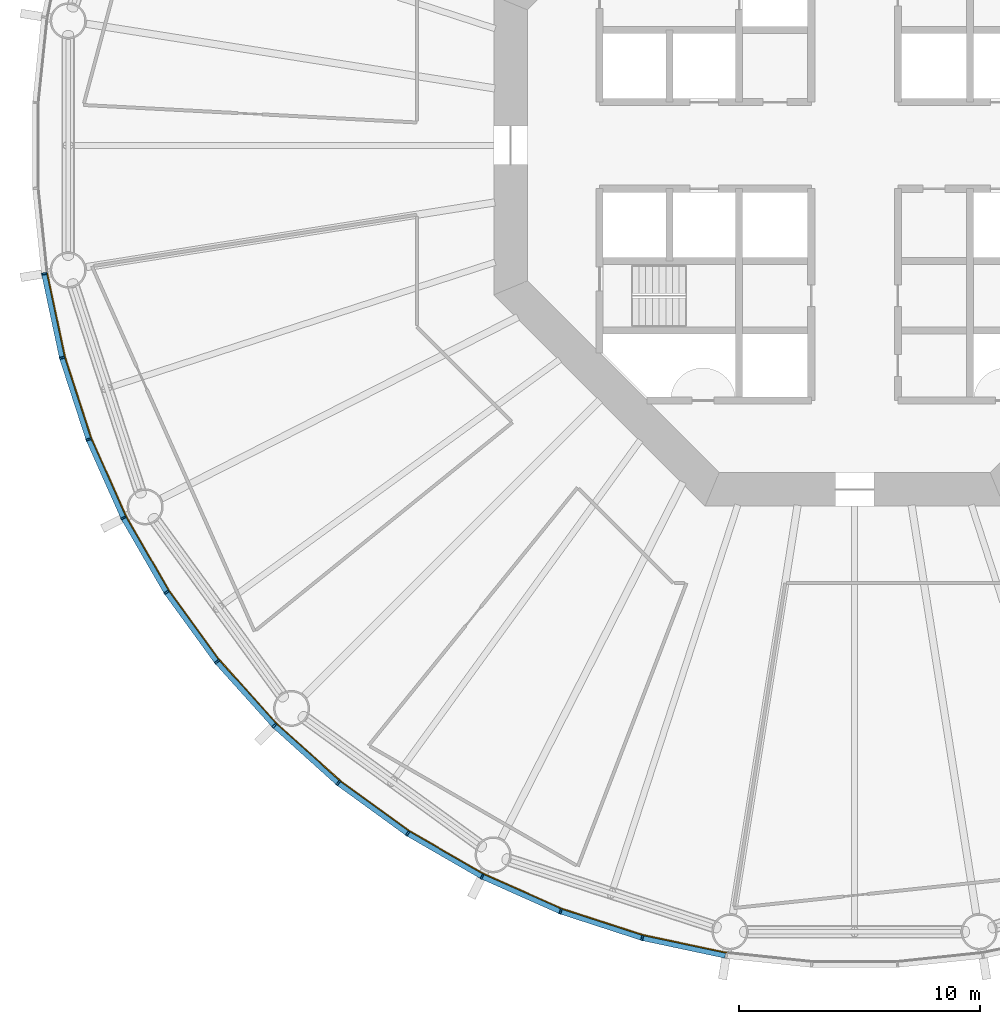
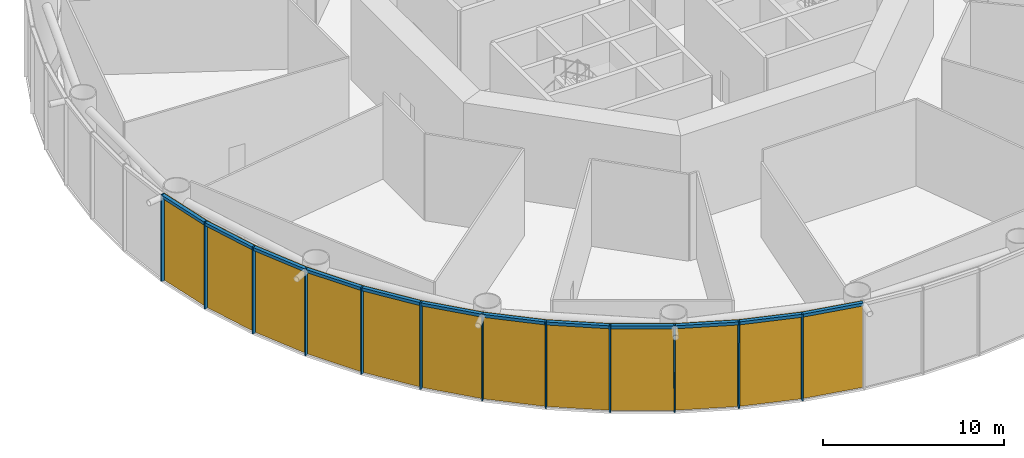
# One storey, part 8 of 14: 24 members, 4 curtain walls.
"""IFC4 building model written with IfcOpenShell, lengths in metres."""

from ifc_helpers import new_model, si_unit, direction, frame, origin, origin_2d, place, context, subcontext, project, spatial, polyline, rectangle, outline, extrude, material, layer, layer_set, material_profile, profile_set, type_object, element, aggregate, save


model = new_model("IFC4")

# Units and contexts
model_context = context("Model", 3, precision=1e-05, world=origin(), true_north=direction((0.0, 1.0)))
body_context = subcontext(model_context, "Body", "Model", "MODEL_VIEW")
ifc_project = project(units=[si_unit("LENGTHUNIT", "METRE"), si_unit("AREAUNIT", "SQUARE_METRE"), si_unit("VOLUMEUNIT", "CUBIC_METRE"), si_unit("PLANEANGLEUNIT", "RADIAN"), si_unit("MASSUNIT", "GRAM", prefix="KILO")], contexts=[model_context])

# Member
ifc_material_1 = material(Name="Anodised aluminium", Category="aluminium")
ifc_material_profile_1 = material_profile(ifc_material_1, rectangle(XDim=0.074951171875, YDim=0.219970703125, at=origin_2d()), Name="Mullion 75 x 220 mm anodised aluminium")
ifc_profile_set_1 = profile_set([ifc_material_profile_1], Name="Anodised aluminium")
member_type_1 = type_object("IfcMemberType", Name="Mullion 75 x 220 mm anodised aluminium", PredefinedType="MULLION", material=ifc_profile_set_1)
site_placement = place(None, origin())
building_placement = place(site_placement, origin())
storey_placement = place(building_placement, frame((0.0, 0.0, 12.0)))
member_1_placement = place(storey_placement, frame((56.31005859375, 74.6640625, 0.0), z_axis=(0.0, 0.0, 1.0), x_axis=(0.15643446504, -0.987688340595, 0.0)))
member_1 = element("IfcMember", 1, at=member_1_placement, type_object=member_type_1, Name="MULLION L01-30", PredefinedType="MULLION", context=body_context, shape_type="SweptSolid", body=[
    extrude(rectangle(XDim=0.074951171875, YDim=0.219970703125, at=origin_2d()), origin(), (0.0, 0.0, 1.0), 5.85009765625),
])

member_2_placement = place(storey_placement, frame((57.05224609375, 71.171630859375, 0.0), z_axis=(0.0, 0.0, 1.0), x_axis=(0.258819045103, -0.965925826289, 0.0)))
member_2 = element("IfcMember", 2, at=member_2_placement, type_object=member_type_1, Name="MULLION L01-31", PredefinedType="MULLION", context=body_context, shape_type="SweptSolid", body=[
    extrude(rectangle(XDim=0.074951171875, YDim=0.219970703125, at=origin_2d()), origin(), (0.0, 0.0, 1.0), 5.85009765625),
])

member_3_placement = place(storey_placement, frame((58.155517578125, 67.776123046875, 0.0), z_axis=(0.0, 0.0, 1.0), x_axis=(0.358367949545, -0.933580426497, 0.0)))
member_3 = element("IfcMember", 3, at=member_3_placement, type_object=member_type_1, Name="MULLION L01-32", PredefinedType="MULLION", context=body_context, shape_type="SweptSolid", body=[
    extrude(rectangle(XDim=0.074951171875, YDim=0.219970703125, at=origin_2d()), origin(), (0.0, 0.0, 1.0), 5.85009765625),
])

member_4_placement = place(storey_placement, frame((59.607666015625, 64.514404296875, 0.0), z_axis=(0.0, 0.0, 1.0), x_axis=(0.45399049974, -0.891006524188, 0.0)))
member_4 = element("IfcMember", 4, at=member_4_placement, type_object=member_type_1, Name="MULLION L01-33", PredefinedType="MULLION", context=body_context, shape_type="SweptSolid", body=[
    extrude(rectangle(XDim=0.074951171875, YDim=0.219970703125, at=origin_2d()), origin(), (0.0, 0.0, 1.0), 5.85009765625),
])

member_5_placement = place(storey_placement, frame((61.39306640625, 61.42236328125, 0.0), z_axis=(0.0, 0.0, 1.0), x_axis=(0.544639035015, -0.838670567945, 0.0)))
member_5 = element("IfcMember", 5, at=member_5_placement, type_object=member_type_1, Name="MULLION L01-34", PredefinedType="MULLION", context=body_context, shape_type="SweptSolid", body=[
    extrude(rectangle(XDim=0.074951171875, YDim=0.219970703125, at=origin_2d()), origin(), (0.0, 0.0, 1.0), 5.85009765625),
])

member_6_placement = place(storey_placement, frame((63.491455078125, 58.533935546875, 0.0), z_axis=(0.0, 0.0, 1.0), x_axis=(0.62932039105, -0.777145961457, 0.0)))
member_6 = element("IfcMember", 6, at=member_6_placement, type_object=member_type_1, Name="MULLION L01-35", PredefinedType="MULLION", context=body_context, shape_type="SweptSolid", body=[
    extrude(rectangle(XDim=0.074951171875, YDim=0.219970703125, at=origin_2d()), origin(), (0.0, 0.0, 1.0), 5.85009765625),
])

member_7_placement = place(storey_placement, frame((65.880615234375, 55.880615234375, 0.0), z_axis=(0.0, 0.0, 1.0), x_axis=(0.707106781187, -0.707106781187, 0.0)))
member_7 = element("IfcMember", 7, at=member_7_placement, type_object=member_type_1, Name="MULLION L01-36", PredefinedType="MULLION", context=body_context, shape_type="SweptSolid", body=[
    extrude(rectangle(XDim=0.074951171875, YDim=0.219970703125, at=origin_2d()), origin(), (0.0, 0.0, 1.0), 5.85009765625),
])

member_8_placement = place(storey_placement, frame((68.533935546875, 53.491455078125, 0.0), z_axis=(0.0, 0.0, 1.0), x_axis=(0.777145961457, -0.62932039105, 0.0)))
member_8 = element("IfcMember", 8, at=member_8_placement, type_object=member_type_1, Name="MULLION L01-37", PredefinedType="MULLION", context=body_context, shape_type="SweptSolid", body=[
    extrude(rectangle(XDim=0.074951171875, YDim=0.219970703125, at=origin_2d()), origin(), (0.0, 0.0, 1.0), 5.85009765625),
])

member_9_placement = place(storey_placement, frame((71.42236328125, 51.39306640625, 0.0), z_axis=(0.0, 0.0, 1.0), x_axis=(0.838670567945, -0.544639035015, 0.0)))
member_9 = element("IfcMember", 9, at=member_9_placement, type_object=member_type_1, Name="MULLION L01-38", PredefinedType="MULLION", context=body_context, shape_type="SweptSolid", body=[
    extrude(rectangle(XDim=0.074951171875, YDim=0.219970703125, at=origin_2d()), origin(), (0.0, 0.0, 1.0), 5.85009765625),
])

member_10_placement = place(storey_placement, frame((74.514404296875, 49.607666015625, 0.0), z_axis=(0.0, 0.0, 1.0), x_axis=(0.891006524188, -0.45399049974, 0.0)))
member_10 = element("IfcMember", 10, at=member_10_placement, type_object=member_type_1, Name="MULLION L01-39", PredefinedType="MULLION", context=body_context, shape_type="SweptSolid", body=[
    extrude(rectangle(XDim=0.074951171875, YDim=0.219970703125, at=origin_2d()), origin(), (0.0, 0.0, 1.0), 5.85009765625),
])

member_11_placement = place(storey_placement, frame((77.776123046875, 48.155517578125, 0.0), z_axis=(0.0, 0.0, 1.0), x_axis=(0.933580426497, -0.358367949545, 0.0)))
member_11 = element("IfcMember", 11, at=member_11_placement, type_object=member_type_1, Name="MULLION L01-40", PredefinedType="MULLION", context=body_context, shape_type="SweptSolid", body=[
    extrude(rectangle(XDim=0.074951171875, YDim=0.219970703125, at=origin_2d()), origin(), (0.0, 0.0, 1.0), 5.85009765625),
])

member_12_placement = place(storey_placement, frame((81.171630859375, 47.05224609375, 0.0), z_axis=(0.0, 0.0, 1.0), x_axis=(0.965925826289, -0.258819045103, 0.0)))
member_12 = element("IfcMember", 12, at=member_12_placement, type_object=member_type_1, Name="MULLION L01-41", PredefinedType="MULLION", context=body_context, shape_type="SweptSolid", body=[
    extrude(rectangle(XDim=0.074951171875, YDim=0.219970703125, at=origin_2d()), origin(), (0.0, 0.0, 1.0), 5.85009765625),
])

ifc_material_2 = material(Name="Anodised aluminium", Category="aluminium")
ifc_material_profile_2 = material_profile(ifc_material_2, rectangle(XDim=0.219970703125, YDim=0.199951171875, at=origin_2d()), Name="Transom 200 x 220 mm anodised aluminium")
ifc_profile_set_2 = profile_set([ifc_material_profile_2], Name="Anodised aluminium")
member_type_2 = type_object("IfcMemberType", Name="Transom 200 x 220 mm anodised aluminium", PredefinedType="USERDEFINED", material=ifc_profile_set_2)
member_13_placement = place(storey_placement, frame((56.31884765625, 74.62158203125, 5.75), z_axis=(0.207920776701, -0.978145669426, 0.0), x_axis=(0.978145669426, 0.207920776701, 0.0)))
member_13 = element("IfcMember", 13, at=member_13_placement, type_object=member_type_2, Name="TRANSOM L01-30", ObjectType="TRANSOM", PredefinedType="USERDEFINED", context=body_context, shape_type="SweptSolid", body=[
    extrude(rectangle(XDim=0.219970703125, YDim=0.199951171875, at=origin_2d()), origin(), (0.0, 0.0, 1.0), 3.48388671875),
])

member_14_placement = place(storey_placement, frame((57.0654296875, 71.130615234375, 5.75), z_axis=(0.309029029702, -0.951052605696, 0.0), x_axis=(0.951052605696, 0.309029029702, 0.0)))
member_14 = element("IfcMember", 14, at=member_14_placement, type_object=member_type_2, Name="TRANSOM L01-31", ObjectType="TRANSOM", PredefinedType="USERDEFINED", context=body_context, shape_type="SweptSolid", body=[
    extrude(rectangle(XDim=0.219970703125, YDim=0.199951171875, at=origin_2d()), origin(), (0.0, 0.0, 1.0), 3.484130859375),
])

member_15_placement = place(storey_placement, frame((58.173095703125, 67.736572265625, 5.75), z_axis=(0.406736576304, -0.913545487371, 0.0), x_axis=(0.913545487371, 0.406736576304, 0.0)))
member_15 = element("IfcMember", 15, at=member_15_placement, type_object=member_type_2, Name="TRANSOM L01-32", ObjectType="TRANSOM", PredefinedType="USERDEFINED", context=body_context, shape_type="SweptSolid", body=[
    extrude(rectangle(XDim=0.219970703125, YDim=0.199951171875, at=origin_2d()), origin(), (0.0, 0.0, 1.0), 3.48388671875),
])

member_16_placement = place(storey_placement, frame((59.629150390625, 64.476806640625, 5.75), z_axis=(0.500005538244, -0.866022206254, 0.0), x_axis=(0.866022206254, 0.500005538244, 0.0)))
member_16 = element("IfcMember", 16, at=member_16_placement, type_object=member_type_2, Name="TRANSOM L01-33", ObjectType="TRANSOM", PredefinedType="USERDEFINED", context=body_context, shape_type="SweptSolid", body=[
    extrude(rectangle(XDim=0.219970703125, YDim=0.199951171875, at=origin_2d()), origin(), (0.0, 0.0, 1.0), 3.48388671875),
])

member_17_placement = place(storey_placement, frame((61.418212890625, 61.38720703125, 5.75), z_axis=(0.587821627006, -0.80899056535, 0.0), x_axis=(0.80899056535, 0.587821627006, 0.0)))
member_17 = element("IfcMember", 17, at=member_17_placement, type_object=member_type_2, Name="TRANSOM L01-34", ObjectType="TRANSOM", PredefinedType="USERDEFINED", context=body_context, shape_type="SweptSolid", body=[
    extrude(rectangle(XDim=0.219970703125, YDim=0.199951171875, at=origin_2d()), origin(), (0.0, 0.0, 1.0), 3.48388671875),
])

member_18_placement = place(storey_placement, frame((63.520263671875, 58.501708984375, 5.75), z_axis=(0.669138930974, -0.743137329876, 0.0), x_axis=(0.743137329876, 0.669138930974, 0.0)))
member_18 = element("IfcMember", 18, at=member_18_placement, type_object=member_type_2, Name="TRANSOM L01-35", ObjectType="TRANSOM", PredefinedType="USERDEFINED", context=body_context, shape_type="SweptSolid", body=[
    extrude(rectangle(XDim=0.219970703125, YDim=0.199951171875, at=origin_2d()), origin(), (0.0, 0.0, 1.0), 3.484130859375),
])

member_19_placement = place(storey_placement, frame((65.91259765625, 55.8515625, 5.75), z_axis=(0.743137329876, -0.669138930974, 0.0), x_axis=(0.669138930974, 0.743137329876, 0.0)))
member_19 = element("IfcMember", 19, at=member_19_placement, type_object=member_type_2, Name="TRANSOM L01-36", ObjectType="TRANSOM", PredefinedType="USERDEFINED", context=body_context, shape_type="SweptSolid", body=[
    extrude(rectangle(XDim=0.219970703125, YDim=0.199951171875, at=origin_2d()), origin(), (0.0, 0.0, 1.0), 3.484130859375),
])

member_20_placement = place(storey_placement, frame((68.56884765625, 53.466064453125, 5.75), z_axis=(0.80899056535, -0.587821627006, 0.0), x_axis=(0.587821627006, 0.80899056535, 0.0)))
member_20 = element("IfcMember", 20, at=member_20_placement, type_object=member_type_2, Name="TRANSOM L01-37", ObjectType="TRANSOM", PredefinedType="USERDEFINED", context=body_context, shape_type="SweptSolid", body=[
    extrude(rectangle(XDim=0.219970703125, YDim=0.199951171875, at=origin_2d()), origin(), (0.0, 0.0, 1.0), 3.48388671875),
])

member_21_placement = place(storey_placement, frame((71.459716796875, 51.37109375, 5.75), z_axis=(0.866022206254, -0.500005538244, 0.0), x_axis=(0.500005538244, 0.866022206254, 0.0)))
member_21 = element("IfcMember", 21, at=member_21_placement, type_object=member_type_2, Name="TRANSOM L01-38", ObjectType="TRANSOM", PredefinedType="USERDEFINED", context=body_context, shape_type="SweptSolid", body=[
    extrude(rectangle(XDim=0.219970703125, YDim=0.199951171875, at=origin_2d()), origin(), (0.0, 0.0, 1.0), 3.48388671875),
])

member_22_placement = place(storey_placement, frame((74.553955078125, 49.590087890625, 5.75), z_axis=(0.913545487371, -0.406736576304, 0.0), x_axis=(0.406736576304, 0.913545487371, 0.0)))
member_22 = element("IfcMember", 22, at=member_22_placement, type_object=member_type_2, Name="TRANSOM L01-39", ObjectType="TRANSOM", PredefinedType="USERDEFINED", context=body_context, shape_type="SweptSolid", body=[
    extrude(rectangle(XDim=0.219970703125, YDim=0.199951171875, at=origin_2d()), origin(), (0.0, 0.0, 1.0), 3.48388671875),
])

member_23_placement = place(storey_placement, frame((77.817138671875, 48.14208984375, 5.75), z_axis=(0.951052605696, -0.309029029702, 0.0), x_axis=(0.309029029702, 0.951052605696, 0.0)))
member_23 = element("IfcMember", 23, at=member_23_placement, type_object=member_type_2, Name="TRANSOM L01-40", ObjectType="TRANSOM", PredefinedType="USERDEFINED", context=body_context, shape_type="SweptSolid", body=[
    extrude(rectangle(XDim=0.219970703125, YDim=0.199951171875, at=origin_2d()), origin(), (0.0, 0.0, 1.0), 3.484130859375),
])

member_24_placement = place(storey_placement, frame((81.2138671875, 47.043212890625, 5.75), z_axis=(0.978145669426, -0.207920776701, 0.0), x_axis=(0.207920776701, 0.978145669426, 0.0)))
member_24 = element("IfcMember", 24, at=member_24_placement, type_object=member_type_2, Name="TRANSOM L01-41", ObjectType="TRANSOM", PredefinedType="USERDEFINED", context=body_context, shape_type="SweptSolid", body=[
    extrude(rectangle(XDim=0.219970703125, YDim=0.199951171875, at=origin_2d()), origin(), (0.0, 0.0, 1.0), 3.48388671875),
])

# Site, building, storey
site = spatial("IfcSite", under=ifc_project, at=site_placement, CompositionType="ELEMENT")
building = spatial("IfcBuilding", under=site, at=building_placement, Name="Entoto Ring Tower", CompositionType="ELEMENT")
storey = spatial("IfcBuildingStorey", under=building, at=storey_placement, Name="L01", CompositionType="ELEMENT", Elevation=12.0)

# Curtain wall
ifc_material_3 = material(Name="Clear low-iron glass", Category="glass")
ifc_layer = layer(ifc_material_3, 0.0400390625)
ifc_layer_set = layer_set([ifc_layer], Name="Clear low-iron glass")
curtain_wall_type = type_object("IfcCurtainWallType", Name="Curtain wall system CW1 glazing 40 mm", PredefinedType="NOTDEFINED", material=ifc_layer_set)
curtain_wall_1_placement = place(storey_placement, origin())
curtain_wall_1 = element("IfcCurtainWall", 25, at=curtain_wall_1_placement, inside=storey, type_object=curtain_wall_type, Name="CW1 L01-11", PredefinedType="NOTDEFINED", context=body_context, shape_type="SweptSolid", body=[
    extrude(outline(polyline([(56.418701171875, 74.68115234375), (57.158447265625, 71.2001953125), (58.25830078125, 67.8154296875), (59.705810546875, 64.564208984375), (59.741455078125, 64.58251953125), (58.295654296875, 67.829833984375), (57.197265625, 71.21044921875), (56.458251953125, 74.6875), (56.418701171875, 74.68115234375)])), origin(), (0.0, 0.0, 1.0), 5.85009765625),
])

aggregate(curtain_wall_1, [member_1, member_2, member_3, member_13, member_14, member_15])

curtain_wall_2_placement = place(storey_placement, origin())
curtain_wall_2 = element("IfcCurtainWall", 26, at=curtain_wall_2_placement, inside=storey, type_object=curtain_wall_type, Name="CW1 L01-12", PredefinedType="NOTDEFINED", context=body_context, shape_type="SweptSolid", body=[
    extrude(outline(polyline([(59.705810546875, 64.564208984375), (61.485107421875, 61.482177734375), (63.5771484375, 58.60302734375), (65.958251953125, 55.958251953125), (65.986572265625, 55.986572265625), (63.608154296875, 58.62841796875), (61.518798828125, 61.504150390625), (59.741455078125, 64.58251953125), (59.705810546875, 64.564208984375)])), origin(), (0.0, 0.0, 1.0), 5.85009765625),
])

aggregate(curtain_wall_2, [member_4, member_5, member_6, member_16, member_17, member_18])

curtain_wall_3_placement = place(storey_placement, origin())
curtain_wall_3 = element("IfcCurtainWall", 27, at=curtain_wall_3_placement, inside=storey, type_object=curtain_wall_type, Name="CW1 L01-13", PredefinedType="NOTDEFINED", context=body_context, shape_type="SweptSolid", body=[
    extrude(outline(polyline([(65.958251953125, 55.958251953125), (68.60302734375, 53.5771484375), (71.482177734375, 51.485107421875), (74.564208984375, 49.705810546875), (74.58251953125, 49.741455078125), (71.504150390625, 51.518798828125), (68.62841796875, 53.608154296875), (65.986572265625, 55.986572265625), (65.958251953125, 55.958251953125)])), origin(), (0.0, 0.0, 1.0), 5.85009765625),
])

aggregate(curtain_wall_3, [member_7, member_8, member_9, member_19, member_20, member_21])

curtain_wall_4_placement = place(storey_placement, origin())
curtain_wall_4 = element("IfcCurtainWall", 28, at=curtain_wall_4_placement, inside=storey, type_object=curtain_wall_type, Name="CW1 L01-14", PredefinedType="NOTDEFINED", context=body_context, shape_type="SweptSolid", body=[
    extrude(outline(polyline([(74.564208984375, 49.705810546875), (77.8154296875, 48.25830078125), (81.2001953125, 47.158447265625), (84.68115234375, 46.418701171875), (84.6875, 46.458251953125), (81.21044921875, 47.197265625), (77.829833984375, 48.295654296875), (74.58251953125, 49.741455078125), (74.564208984375, 49.705810546875)])), origin(), (0.0, 0.0, 1.0), 5.85009765625),
])

aggregate(curtain_wall_4, [member_10, member_11, member_12, member_22, member_23, member_24])

save(model, "model.ifc")
